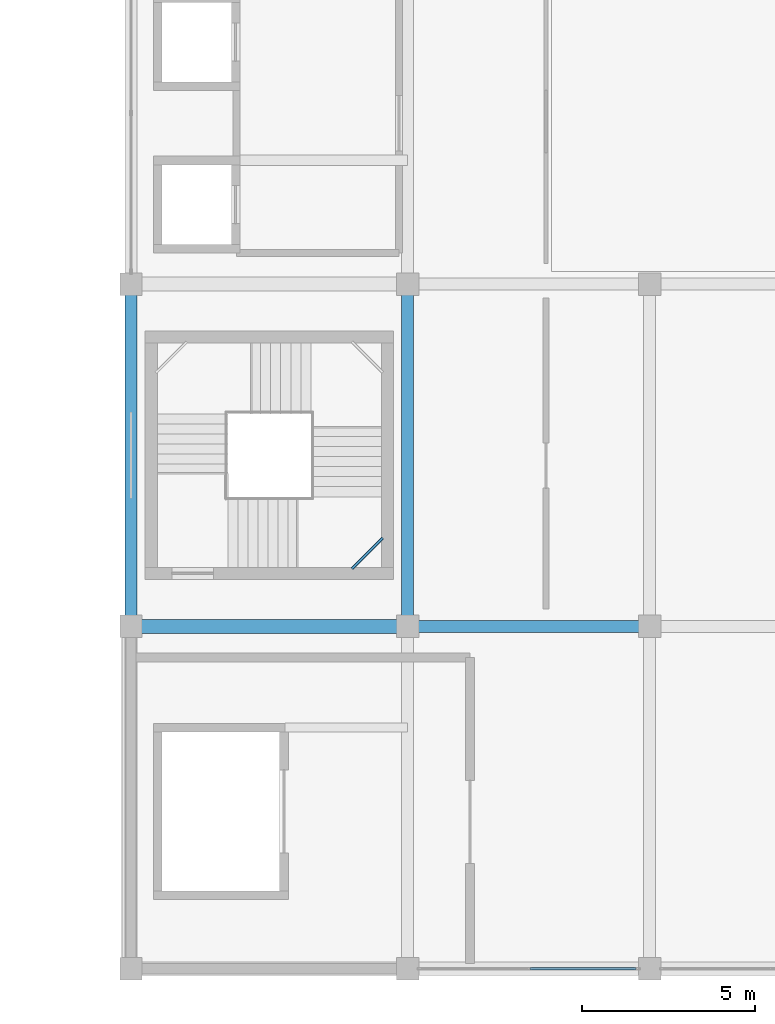
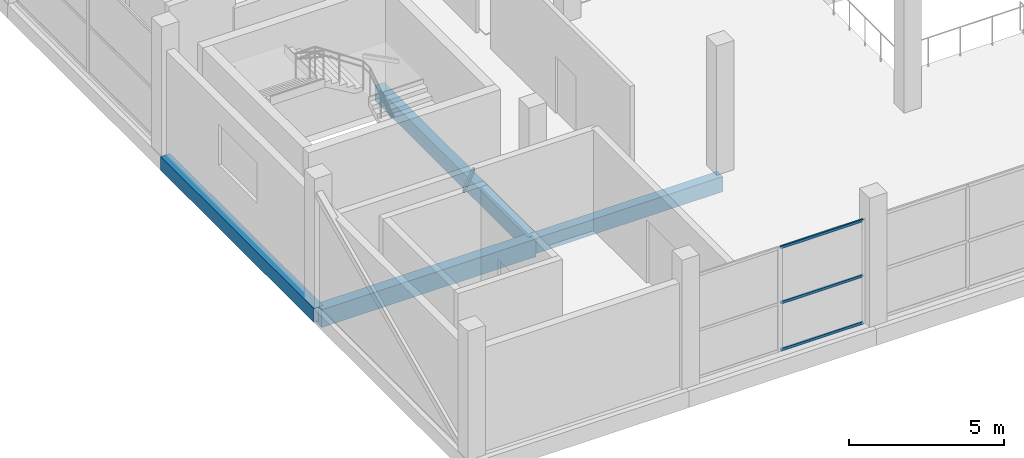
# One storey, part 3 of 58: 5 beams, 3 members, 1 element without a shape of its own.
"""IFC4 building model written with IfcOpenShell, lengths in metres."""

from ifc_helpers import new_model, si_unit, direction, frame, origin, origin_2d, place, context, subcontext, project, spatial, rectangle, hollow_rectangle, extrude, material, layer, layer_set, material_profile, profile_set, type_object, element, aggregate, save


model = new_model("IFC4")

# Units and contexts
model_context = context("Model", 3, precision=1e-05, world=origin(), true_north=direction((0.0, 1.0)))
body_context = subcontext(model_context, "Body", "Model", "MODEL_VIEW")
ifc_project = project(units=[si_unit("LENGTHUNIT", "METRE"), si_unit("AREAUNIT", "SQUARE_METRE"), si_unit("VOLUMEUNIT", "CUBIC_METRE"), si_unit("PLANEANGLEUNIT", "RADIAN"), si_unit("MASSUNIT", "GRAM", prefix="KILO")], contexts=[model_context])

# Site, building, storey
site_placement = place(None, origin())
site = spatial("IfcSite", under=ifc_project, at=site_placement, CompositionType="ELEMENT")
building_placement = place(site_placement, origin())
building = spatial("IfcBuilding", under=site, at=building_placement, Name="Sillaruma Civic Art Gallery", CompositionType="ELEMENT")
storey_placement = place(building_placement, frame((0.0, 0.0, 52.02001953125)))
storey = spatial("IfcBuildingStorey", under=building, at=storey_placement, Name="L10", CompositionType="ELEMENT", Elevation=52.02001953125)

# Beams
ifc_material_1 = material(Name="Concrete H35 (35 MPa)", Category="concrete")
ifc_material_profile_1 = material_profile(ifc_material_1, rectangle(XDim=0.35009765625, YDim=0.60009765625, at=origin_2d()), Name="RCB350x600")
ifc_profile_set_1 = profile_set([ifc_material_profile_1], Name="Concrete H35 (35 MPa)")
beam_type_1 = type_object("IfcBeamType", Name="BM-BEAM-RCB350x600", PredefinedType="BEAM", material=ifc_profile_set_1)
beam_1_placement = place(storey_placement, frame((70.0, 29.699951171875, -0.550048828125), z_axis=(1.0, 0.0, 0.0), x_axis=(0.0, 1.0, 0.0)))
element("IfcBeam", 1, at=beam_1_placement, inside=storey, type_object=beam_type_1, Name="Beam BM-06 (L09:4:G-H)", PredefinedType="BEAM", context=body_context, shape_type="SweptSolid", body=[
    extrude(rectangle(XDim=0.35009765625, YDim=0.60009765625, at=origin_2d()), origin(), (0.0, 0.0, 1.0), 7.0),
])
beam_2_placement = place(storey_placement, frame((70.0, 29.699951171875, -0.550048828125), z_axis=(0.0, 1.0, 0.0), x_axis=(-1.0, 0.0, 0.0)))
element("IfcBeam", 2, at=beam_2_placement, inside=storey, type_object=beam_type_1, Name="Beam BM-06 (L09:G:4-5)", PredefinedType="BEAM", context=body_context, shape_type="SweptSolid", body=[
    extrude(rectangle(XDim=0.35009765625, YDim=0.60009765625, at=origin_2d()), origin(), (0.0, 0.0, 1.0), 9.900146484375),
])
ifc_material_profile_2 = material_profile(ifc_material_1, rectangle(XDim=0.39990234375, YDim=0.699951171875, at=origin_2d()), Name="RCB400x700")
ifc_profile_set_2 = profile_set([ifc_material_profile_2], Name="Concrete H35 (35 MPa)")
beam_type_2 = type_object("IfcBeamType", Name="BM-BEAM-RCB400x700", PredefinedType="BEAM", material=ifc_profile_set_2)
beam_3_placement = place(storey_placement, frame((62.0, 29.699951171875, -0.60009765625), z_axis=(1.0, 0.0, 0.0), x_axis=(0.0, 1.0, 0.0)))
element("IfcBeam", 3, at=beam_3_placement, inside=storey, type_object=beam_type_2, Name="Beam BM-04 (L09:4:F-G)", PredefinedType="BEAM", context=body_context, shape_type="SweptSolid", body=[
    extrude(rectangle(XDim=0.39990234375, YDim=0.699951171875, at=origin_2d()), origin(), (0.0, 0.0, 1.0), 8.0),
])
ifc_material_2 = material(Name="Structural Steel ASTM A500 Gr.C", Category="steel")
ifc_material_profile_3 = material_profile(ifc_material_2, hollow_rectangle(XDim=0.080078125, YDim=0.159912109375, WallThickness=0.008056640625, InnerFilletRadius=0.008056640625, OuterFilletRadius=0.01611328125, at=origin_2d()), Name="HSS160x80x8")
ifc_profile_set_3 = profile_set([ifc_material_profile_3], Name="Structural Steel ASTM A500 Gr.C")
beam_type_3 = type_object("IfcBeamType", Name="BM-LND-HSS160", PredefinedType="BEAM", material=ifc_profile_set_3)
beam_4_placement = place(storey_placement, frame((68.389892578125, 31.3701171875, 1.080078125), z_axis=(0.707203758046, 0.707009791025, 0.0), x_axis=(-0.707009791025, 0.707203758046, 0.0)))
element("IfcBeam", 4, at=beam_4_placement, inside=storey, type_object=beam_type_3, Name="Stair Corner Landing Trimmer Beam (ST-03-L10-1)", PredefinedType="BEAM", context=body_context, shape_type="SweptSolid", body=[
    extrude(hollow_rectangle(XDim=0.080078125, YDim=0.159912109375, WallThickness=0.008056640625, InnerFilletRadius=0.008056640625, OuterFilletRadius=0.01611328125, at=origin_2d()), origin(), (0.0, 0.0, 1.0), 1.2587890625),
])
ifc_material_profile_4 = material_profile(ifc_material_1, rectangle(XDim=0.35009765625, YDim=0.550048828125, at=origin_2d()), Name="RCB350x550")
ifc_profile_set_4 = profile_set([ifc_material_profile_4], Name="Concrete H35 (35 MPa)")
beam_type_4 = type_object("IfcBeamType", Name="BM-SPANDREL-RCB350x550", PredefinedType="SPANDREL", material=ifc_profile_set_4)
beam_5_placement = place(storey_placement, frame((62.0, 29.699951171875, -0.52490234375), z_axis=(0.0, 1.0, 0.0), x_axis=(-1.0, 0.0, 0.0)))
element("IfcBeam", 5, at=beam_5_placement, inside=storey, type_object=beam_type_4, Name="Beam BS-04 (L09:F:4-5)", PredefinedType="SPANDREL", context=body_context, shape_type="SweptSolid", body=[
    extrude(rectangle(XDim=0.35009765625, YDim=0.550048828125, at=origin_2d()), origin(), (0.0, 0.0, 1.0), 9.900146484375),
])

# Curtain wall, members
ifc_material_3 = material(Name="Thermally Broken Extruded Aluminium 6063-T6", Category="aluminium")
ifc_layer = layer(ifc_material_3, 0.159912109375, Name="Thermally Broken Extruded Aluminium 6063-T6")
ifc_layer_set = layer_set([ifc_layer], Name="Thermally Broken Extruded Aluminium 6063-T6")
curtain_wall_type = type_object("IfcCurtainWallType", Name="CW-UNI-68", PredefinedType="NOTDEFINED", material=ifc_layer_set)
curtain_wall_placement = place(storey_placement, origin())
curtain_wall = element("IfcCurtainWall", 6, at=curtain_wall_placement, inside=storey, type_object=curtain_wall_type, Name="Unitised Curtain Wall CW-68 (CW-L10-WBS-2)", PredefinedType="NOTDEFINED")
ifc_material_profile_5 = material_profile(ifc_material_3, hollow_rectangle(XDim=0.06005859375, YDim=0.10009765625, WallThickness=0.003173828125, at=origin_2d()), Name="CWT60x100")
ifc_profile_set_5 = profile_set([ifc_material_profile_5], Name="Thermally Broken Extruded Aluminium 6063-T6")
member_type = type_object("IfcMemberType", Name="MEM-TRN-CWT60x100", PredefinedType="USERDEFINED", material=ifc_profile_set_5)
member_1_placement = place(storey_placement, frame((73.532470703125, 19.800048828125, 0.030029296875), z_axis=(1.0, 0.0, 0.0), x_axis=(0.0, 1.0, 0.0)))
member_1 = element("IfcMember", 7, at=member_1_placement, type_object=member_type, Name="CW-68 transom 2.1", ObjectType="TRANSOM", PredefinedType="USERDEFINED", context=body_context, shape_type="SweptSolid", body=[
    extrude(hollow_rectangle(XDim=0.06005859375, YDim=0.10009765625, WallThickness=0.003173828125, at=origin_2d()), origin(), (0.0, 0.0, 1.0), 3.07763671875),
])
member_2_placement = place(storey_placement, frame((73.532470703125, 19.800048828125, 1.885986328125), z_axis=(1.0, 0.0, 0.0), x_axis=(0.0, 1.0, 0.0)))
member_2 = element("IfcMember", 8, at=member_2_placement, type_object=member_type, Name="CW-68 transom 2.2", ObjectType="TRANSOM", PredefinedType="USERDEFINED", context=body_context, shape_type="SweptSolid", body=[
    extrude(hollow_rectangle(XDim=0.06005859375, YDim=0.10009765625, WallThickness=0.003173828125, at=origin_2d()), origin(), (0.0, 0.0, 1.0), 3.07763671875),
])
member_3_placement = place(storey_placement, frame((73.532470703125, 19.800048828125, 4.070068359375), z_axis=(1.0, 0.0, 0.0), x_axis=(0.0, 1.0, 0.0)))
member_3 = element("IfcMember", 9, at=member_3_placement, type_object=member_type, Name="CW-68 transom 2.3", ObjectType="TRANSOM", PredefinedType="USERDEFINED", context=body_context, shape_type="SweptSolid", body=[
    extrude(hollow_rectangle(XDim=0.06005859375, YDim=0.10009765625, WallThickness=0.003173828125, at=origin_2d()), origin(), (0.0, 0.0, 1.0), 3.07763671875),
])
aggregate(curtain_wall, [member_1, member_2, member_3])

save(model, "model.ifc")
